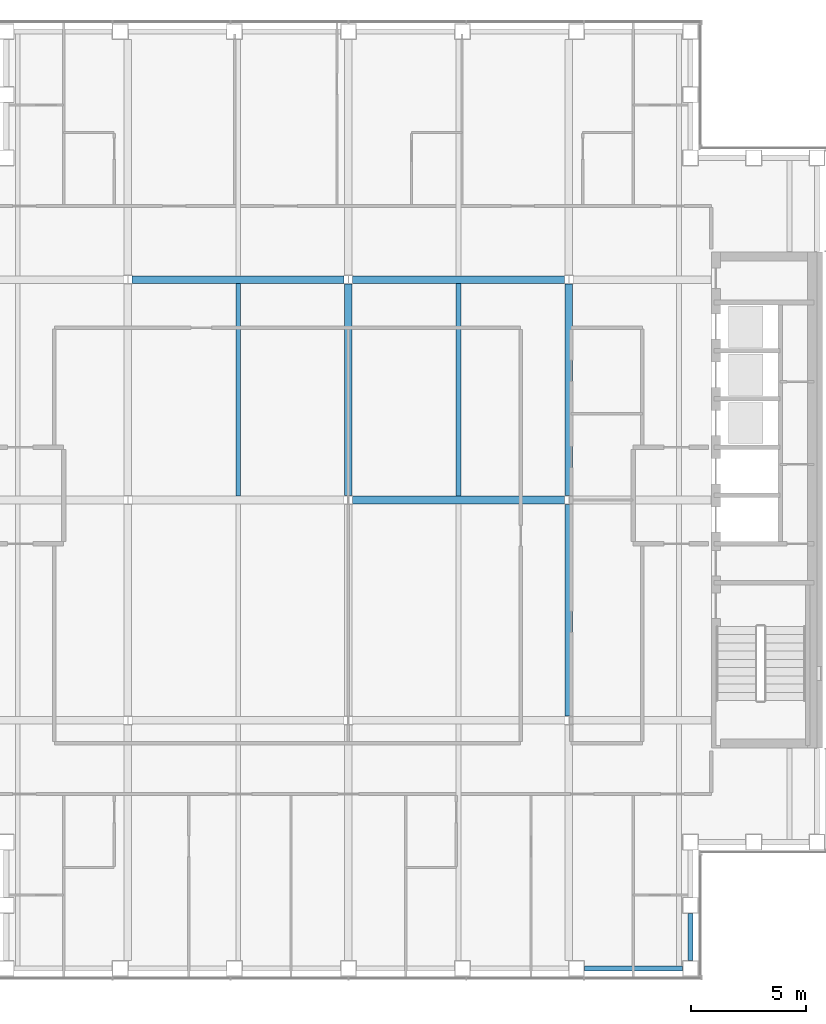
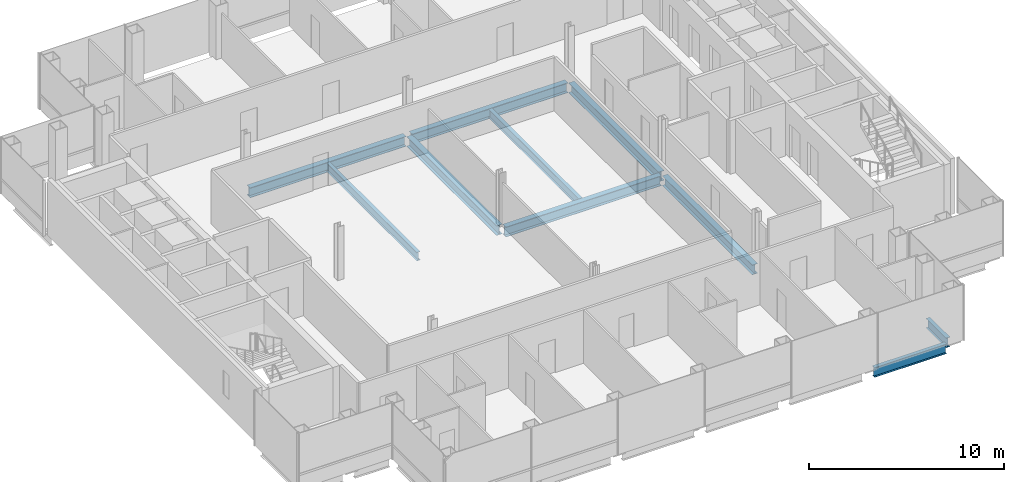
# One storey, part 5 of 15: 10 beams.
"""IFC4 building model written with IfcOpenShell, lengths in metres."""

from ifc_helpers import new_model, si_unit, direction, frame, origin, origin_2d, place, context, subcontext, project, spatial, i_section, extrude, material, material_profile, profile_set, type_object, element, save


model = new_model("IFC4")

# Units and contexts
model_context = context("Model", 3, precision=1e-05, world=origin(), true_north=direction((0.0, 1.0)))
body_context = subcontext(model_context, "Body", "Model", "MODEL_VIEW")
ifc_project = project(units=[si_unit("LENGTHUNIT", "METRE"), si_unit("AREAUNIT", "SQUARE_METRE"), si_unit("VOLUMEUNIT", "CUBIC_METRE"), si_unit("PLANEANGLEUNIT", "RADIAN"), si_unit("MASSUNIT", "GRAM", prefix="KILO")], contexts=[model_context])

# Site, building, storey
site_placement = place(None, origin())
site = spatial("IfcSite", under=ifc_project, at=site_placement, CompositionType="ELEMENT")
building_placement = place(site_placement, origin())
building = spatial("IfcBuilding", under=site, at=building_placement, Name="Cobrizo Arcos Hotel Tower", CompositionType="ELEMENT")
storey_placement = place(building_placement, frame((0.0, 0.0, 194.5)))
storey = spatial("IfcBuildingStorey", under=building, at=storey_placement, Name="L50", CompositionType="ELEMENT", Elevation=194.5)

# Beams
ifc_material = material(Name="Steel ASTM A992 Grade 50", Category="steel")
ifc_material_profile_1 = material_profile(ifc_material, i_section(OverallWidth=0.209228515625, OverallDepth=0.533447265625, WebThickness=0.01025390625, FlangeThickness=0.015625, at=origin_2d()), Name="W21X62")
ifc_profile_set_1 = profile_set([ifc_material_profile_1], Name="Steel ASTM A992 Grade 50")
beam_type_1 = type_object("IfcBeamType", Name="W21X62 joist", PredefinedType="JOIST", material=ifc_profile_set_1)
for number, where, z_axis, x_axis, name in (
    (1, (-4.800048828125, 0.163818359375, -0.416748046875), (0.0, 1.0, 0.0), (-1.0, 0.0, 0.0), "Floor joist J1, L50, no. 009"),
    (2, (4.800048828125, 0.163818359375, -0.416748046875), (0.0, 1.0, 0.0), (-1.0, 0.0, 0.0), "Floor joist J1, L50, no. 013"),
):
    element("IfcBeam", number, at=place(storey_placement, frame(where, z_axis=z_axis, x_axis=x_axis)), inside=storey, type_object=beam_type_1, Name=name, PredefinedType="JOIST", context=body_context, shape_type="SweptSolid", body=[
        extrude(i_section(OverallWidth=0.209228515625, OverallDepth=0.533447265625, WebThickness=0.01025390625, FlangeThickness=0.015625, at=origin_2d()), origin(), (0.0, 0.0, 1.0), 9.272216796875),
    ])
ifc_material_profile_2 = material_profile(ifc_material, i_section(OverallWidth=0.32763671875, OverallDepth=0.622314453125, WebThickness=0.015380859375, FlangeThickness=0.0244140625, at=origin_2d()), Name="W24X131")
ifc_profile_set_2 = profile_set([ifc_material_profile_2], Name="Steel ASTM A992 Grade 50")
beam_type_2 = type_object("IfcBeamType", Name="W24X131 girder", PredefinedType="BEAM", material=ifc_profile_set_2)
for number, where, z_axis, x_axis, name in (
    (3, (0.186767578125, 0.0, -0.461181640625), (1.0, 0.0, 0.0), (0.0, 1.0, 0.0), "Floor girder G1, L50, no. 007"),
    (4, (-9.413330078125, 9.60009765625, -0.461181640625), (1.0, 0.0, 0.0), (0.0, 1.0, 0.0), "Floor girder G1, L50, no. 010"),
    (5, (0.186767578125, 9.60009765625, -0.461181640625), (1.0, 0.0, 0.0), (0.0, 1.0, 0.0), "Floor girder G1, L50, no. 011"),
    (6, (0.0, 0.186767578125, -0.461181640625), (0.0, 1.0, 0.0), (-1.0, 0.0, 0.0), "Floor girder G1, L50, no. 019"),
    (7, (9.60009765625, -9.413330078125, -0.461181640625), (0.0, 1.0, 0.0), (-1.0, 0.0, 0.0), "Floor girder G1, L50, no. 022"),
    (8, (9.60009765625, 0.186767578125, -0.461181640625), (0.0, 1.0, 0.0), (-1.0, 0.0, 0.0), "Floor girder G1, L50, no. 023"),
):
    element("IfcBeam", number, at=place(storey_placement, frame(where, z_axis=z_axis, x_axis=x_axis)), inside=storey, type_object=beam_type_2, Name=name, PredefinedType="BEAM", context=body_context, shape_type="SweptSolid", body=[
        extrude(i_section(OverallWidth=0.32763671875, OverallDepth=0.622314453125, WebThickness=0.015380859375, FlangeThickness=0.0244140625, at=origin_2d()), origin(), (0.0, 0.0, 1.0), 9.2265625),
    ])
ifc_material_profile_3 = material_profile(ifc_material, i_section(OverallWidth=0.228271484375, OverallDepth=0.607177734375, WebThickness=0.01123046875, FlangeThickness=0.017333984375, at=origin_2d()), Name="W24X76")
ifc_profile_set_3 = profile_set([ifc_material_profile_3], Name="Steel ASTM A992 Grade 50")
beam_type_3 = type_object("IfcBeamType", Name="W24X76 spandrel", PredefinedType="SPANDREL", material=ifc_profile_set_3)
beam_1_placement = place(storey_placement, frame((10.282958984375, -20.39990234375, -0.45361328125), z_axis=(1.0, 0.0, 0.0), x_axis=(0.0, 1.0, 0.0)))
element("IfcBeam", 9, at=beam_1_placement, inside=storey, type_object=beam_type_3, Name="Spandrel beam W24X76, L50, no. 006", PredefinedType="SPANDREL", context=body_context, shape_type="SweptSolid", body=[
    extrude(i_section(OverallWidth=0.228271484375, OverallDepth=0.607177734375, WebThickness=0.01123046875, FlangeThickness=0.017333984375, at=origin_2d()), origin(), (0.0, 0.0, 1.0), 4.26708984375),
])
beam_2_placement = place(storey_placement, frame((14.89990234375, -20.050048828125, -0.45361328125), z_axis=(0.0, 1.0, 0.0), x_axis=(-1.0, 0.0, 0.0)))
element("IfcBeam", 10, at=beam_2_placement, inside=storey, type_object=beam_type_3, Name="Spandrel beam W24X76, L50, no. 007", PredefinedType="SPANDREL", context=body_context, shape_type="SweptSolid", body=[
    extrude(i_section(OverallWidth=0.228271484375, OverallDepth=0.607177734375, WebThickness=0.01123046875, FlangeThickness=0.017333984375, at=origin_2d()), origin(), (0.0, 0.0, 1.0), 2.050048828125),
])

save(model, "model.ifc")
